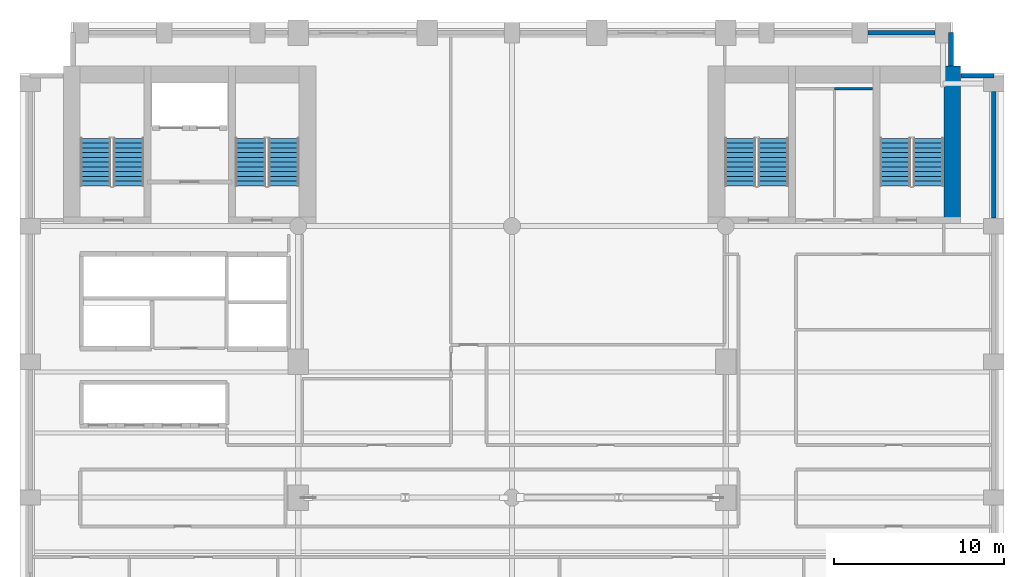
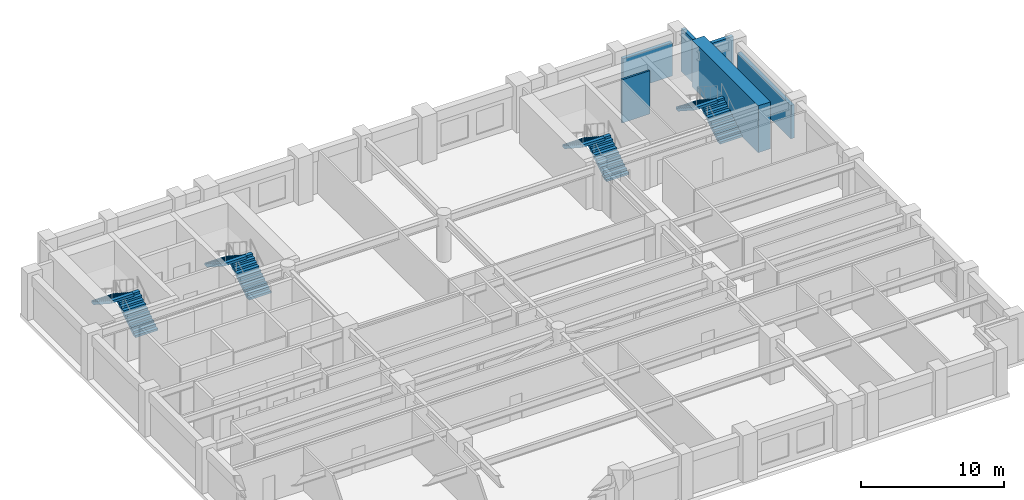
# One storey, part 8 of 10: 8 stair flights, 6 walls, 4 elements without a shape of their own.
"""IFC4 building model written with IfcOpenShell, lengths in metres."""

import ifcopenshell
import ifcopenshell.guid

model = None  # the IFC model being written
_history = None  # IfcOwnerHistory: only IFC2X3 demands one
_inside = {}  # id of a spatial element -> (the spatial element, [elements in it])
_under = {}  # id of a project, library or spatial element -> (it, [spatial elements below it])
_declared = {}  # id of a project -> (the project, [libraries it declares])
_typed = {}  # id of a type object -> (the type object, [elements of that type])
_made_of = {}  # id of a material, layer set ... -> (it, [elements and type objects made of it])


def new_model(schema):
    """Start an empty IFC model of exactly this schema.

    Asked for "IFC4X3", IfcOpenShell would pick the latest addendum, in which some entities
    have other attributes; the version numbers below select the first issue.
    IFC2X3 requires an IfcOwnerHistory on every rooted entity: one is made here for all.
    """
    global model, _history
    if schema == "IFC4X3":
        model = ifcopenshell.file(schema_version=(4, 3, 0, 0))
    else:
        model = ifcopenshell.file(schema=schema)
    _inside.clear()
    _under.clear()
    _declared.clear()
    _typed.clear()
    _made_of.clear()
    _history = None
    if model.schema == "IFC2X3":
        org = make("IfcOrganization", Name="unknown")
        user = make(
            "IfcPersonAndOrganization",
            ThePerson=make("IfcPerson", FamilyName="unknown"),
            TheOrganization=org,
        )
        app = make(
            "IfcApplication",
            ApplicationDeveloper=org,
            Version="unknown",
            ApplicationFullName="unknown",
            ApplicationIdentifier="unknown",
        )
        _history = make(
            "IfcOwnerHistory",
            OwningUser=user,
            OwningApplication=app,
            ChangeAction="ADDED",
            CreationDate=0,
        )
    return model


def make(cls, **values):
    """One entity of the class cls with the attributes given. An attribute that is None is left unset."""
    return model.create_entity(
        cls, **{name: value for name, value in values.items() if value is not None}
    )


def rooted(cls, **values):
    """An entity with a GlobalId (a new one), such as an element, a storey or a relation."""
    return make(cls, GlobalId=ifcopenshell.guid.new(), OwnerHistory=_history, **values)


def si_unit(unit_type, name, prefix=None):
    """IfcSIUnit, for example si_unit("LENGTHUNIT", "METRE", prefix="MILLI")."""
    return make("IfcSIUnit", UnitType=unit_type, Prefix=prefix, Name=name)


def assignment(units):
    """IfcUnitAssignment: the units of a project."""
    return None if units is None else make("IfcUnitAssignment", Units=units)


def point(xyz):
    """IfcCartesianPoint."""
    return None if xyz is None else make("IfcCartesianPoint", Coordinates=xyz)


def direction(xyz):
    """IfcDirection."""
    return None if xyz is None else make("IfcDirection", DirectionRatios=xyz)


def frame(location, z_axis=None, x_axis=None):
    """IfcAxis2Placement3D, a coordinate frame: its origin and axes. An axis left out is left unset."""
    return make(
        "IfcAxis2Placement3D",
        Location=point(location),
        Axis=direction(z_axis),
        RefDirection=direction(x_axis),
    )


def frame_2d(location, x_axis=None):
    """IfcAxis2Placement2D, a coordinate frame in the plane: its origin and x axis."""
    return make(
        "IfcAxis2Placement2D", Location=point(location), RefDirection=direction(x_axis)
    )


def origin():
    """The frame at (0, 0, 0) with its axes left unset."""
    return frame((0.0, 0.0, 0.0))


def place(relative_to, where):
    """IfcLocalPlacement: puts the frame where relative to a parent placement (None: the world)."""
    return make(
        "IfcLocalPlacement", PlacementRelTo=relative_to, RelativePlacement=where
    )


def context(
    kind, dimensions, precision=None, world=None, true_north=None, identifier=None
):
    """IfcGeometricRepresentationContext, for example the 3D "Model" context."""
    return make(
        "IfcGeometricRepresentationContext",
        ContextIdentifier=identifier,
        ContextType=kind,
        CoordinateSpaceDimension=dimensions,
        Precision=precision,
        WorldCoordinateSystem=world,
        TrueNorth=true_north,
    )


def subcontext(parent, identifier, kind, view, scale=None):
    """IfcGeometricRepresentationSubContext, for example "Body" below "Model"."""
    return make(
        "IfcGeometricRepresentationSubContext",
        ContextIdentifier=identifier,
        ContextType=kind,
        ParentContext=parent,
        TargetScale=scale,
        TargetView=view,
    )


def project(units=None, contexts=None):
    """IfcProject with its units and contexts."""
    return rooted(
        "IfcProject",
        Name="project",
        RepresentationContexts=contexts,
        UnitsInContext=assignment(units),
    )


def spatial(cls, under=None, at=None, **own):
    """A site, building, storey or space (cls), placed at a placement, below another one or the project."""
    s = rooted(cls, ObjectPlacement=at, **own)
    if under is not None:
        _under.setdefault(under.id(), (under, []))[1].append(s)
    return s


def polyline(points):
    """IfcPolyline through the points."""
    return make("IfcPolyline", Points=[point(p) for p in points])


def profile(cls, at=None, kind="AREA", **sizes):
    """A parametric profile (cls). Its sizes go by their IFC names, for example OverallWidth=200.0."""
    return make(cls, ProfileType=kind, Position=at, **sizes)


def rectangle(**sizes):
    """IfcRectangleProfileDef."""
    return profile("IfcRectangleProfileDef", **sizes)


def outline(outer, holes=None, kind="AREA"):
    """IfcArbitraryClosedProfileDef: a profile drawn as a closed curve; with holes, ...WithVoids."""
    if holes is None:
        return make("IfcArbitraryClosedProfileDef", ProfileType=kind, OuterCurve=outer)
    return make(
        "IfcArbitraryProfileDefWithVoids",
        ProfileType=kind,
        OuterCurve=outer,
        InnerCurves=holes,
    )


def extrude(swept, where, along, depth):
    """IfcExtrudedAreaSolid: the profile swept, set in the frame where, extruded along a direction by depth."""
    return make(
        "IfcExtrudedAreaSolid",
        SweptArea=swept,
        Position=where,
        ExtrudedDirection=direction(along),
        Depth=depth,
    )


def shape(context_of_items, identifier, shape_type, items):
    """IfcShapeRepresentation: the items that make up one representation, for example the "Body"."""
    return make(
        "IfcShapeRepresentation",
        ContextOfItems=context_of_items,
        RepresentationIdentifier=identifier,
        RepresentationType=shape_type,
        Items=items,
    )


def material(Name=None, Category=None):
    """IfcMaterial."""
    return make("IfcMaterial", Name=Name, Category=Category)


def layer(
    of_material, thickness, ventilated=None, Name=None, Category=None, Priority=None
):
    """IfcMaterialLayer: one layer of a wall or slab, of a material (None: an air gap)."""
    return make(
        "IfcMaterialLayer",
        Material=of_material,
        LayerThickness=thickness,
        IsVentilated=ventilated,
        Name=Name,
        Category=Category,
        Priority=Priority,
    )


def layer_set(layers, Name=None):
    """IfcMaterialLayerSet."""
    return make("IfcMaterialLayerSet", MaterialLayers=layers, LayerSetName=Name)


def made_of(thing, what):
    """Note that an element or type object is made of a material, layer set ...; save() writes the relation."""
    if what is not None:
        _made_of.setdefault(what.id(), (what, []))[1].append(thing)
    return thing


def type_object(cls, material=None, **own):
    """A type object (cls), such as IfcWallType, which elements share."""
    return made_of(rooted(cls, **own), material)


def element(
    cls,
    number,
    at=None,
    inside=None,
    cuts=None,
    type_object=None,
    material=None,
    context=None,
    identifier="Body",
    shape_type=None,
    held_by="IfcProductDefinitionShape",
    body=None,
    shapes=None,
    **own,
):
    """One element of the class cls, such as IfcWall. Its Tag is "e" and its number.

    at: its placement. inside: the storey or other place that contains it. cuts: it is an
    opening in that element (IfcRelVoidsElement). A single representation is given by context,
    identifier, shape_type and body (its items); several are given by shapes. held_by: the class
    of the entity that holds the representations. save() writes the other relations.
    """
    e = rooted(cls, Tag="e%d" % number, ObjectPlacement=at, **own)
    if body is not None:
        shapes = [shape(context, identifier, shape_type, body)]
    if shapes is not None:
        e.Representation = make(held_by, Representations=shapes)
    if inside is not None:
        _inside.setdefault(inside.id(), (inside, []))[1].append(e)
    if cuts is not None:
        rooted(
            "IfcRelVoidsElement", RelatingBuildingElement=cuts, RelatedOpeningElement=e
        )
    if type_object is not None:
        _typed.setdefault(type_object.id(), (type_object, []))[1].append(e)
    return made_of(e, material)


def aggregate(whole, parts):
    """IfcRelAggregates: a whole, such as a stair, and the parts it consists of."""
    return rooted("IfcRelAggregates", RelatingObject=whole, RelatedObjects=parts)


def save(model, path):
    """Write the relations noted so far, then the file.

    IfcRelAggregates (storeys below a building ...), IfcRelContainedInSpatialStructure (elements
    in a storey), IfcRelDefinesByType, IfcRelAssociatesMaterial and IfcRelDeclares: one each for
    every whole, place, type object, material and project.
    """
    for whole, parts in _under.values():
        aggregate(whole, parts)
    for where, things in _inside.values():
        rooted(
            "IfcRelContainedInSpatialStructure",
            RelatedElements=things,
            RelatingStructure=where,
        )
    for kind, things in _typed.values():
        rooted("IfcRelDefinesByType", RelatedObjects=things, RelatingType=kind)
    for what, things in _made_of.values():
        rooted("IfcRelAssociatesMaterial", RelatedObjects=things, RelatingMaterial=what)
    for by, libraries in _declared.values():
        rooted("IfcRelDeclares", RelatingContext=by, RelatedDefinitions=libraries)
    model.write(path)


model = new_model("IFC4")

# Units and contexts
model_context = context("Model", 3, precision=1e-05, world=origin(), true_north=direction((0.0, 1.0)))
body_context = subcontext(model_context, "Body", "Model", "MODEL_VIEW")
ifc_project = project(units=[si_unit("LENGTHUNIT", "METRE"), si_unit("AREAUNIT", "SQUARE_METRE"), si_unit("VOLUMEUNIT", "CUBIC_METRE"), si_unit("PLANEANGLEUNIT", "RADIAN"), si_unit("MASSUNIT", "GRAM", prefix="KILO")], contexts=[model_context])

# Site, building, storey
site_placement = place(None, origin())
site = spatial("IfcSite", under=ifc_project, at=site_placement, CompositionType="ELEMENT")
building_placement = place(site_placement, origin())
building = spatial("IfcBuilding", under=site, at=building_placement, Name="Sulina Concourse Tower", CompositionType="ELEMENT")
storey_placement = place(building_placement, frame((0.0, 0.0, 58.60009765625)))
storey = spatial("IfcBuildingStorey", under=building, at=storey_placement, Name="L14", CompositionType="ELEMENT", Elevation=58.60009765625)

# Walls
ifc_material_1 = material(Name="Gypsum board on steel stud", Category="steel")
ifc_layer_1 = layer(ifc_material_1, 0.14990234375)
ifc_layer_set_1 = layer_set([ifc_layer_1], Name="Gypsum board on steel stud")
wall_type_1 = type_object("IfcWallType", Name="Inter-Tenancy Acoustic Partition 150mm", PredefinedType="PARTITIONING", material=ifc_layer_set_1)
wall_1_placement = place(storey_placement, frame((48.0, 42.10009765625, 0.0), z_axis=(0.0, 0.0, 1.0), x_axis=(1.0, 0.0, 0.0)))
element("IfcWall", 1, at=wall_1_placement, inside=storey, type_object=wall_type_1, Name="L14 interior partition 028", PredefinedType="PARTITIONING", context=body_context, shape_type="SweptSolid", body=[
    extrude(rectangle(XDim=2.25, YDim=0.14990234375, at=frame_2d((1.125, 0.0))), origin(), (0.0, 0.0, 1.0), 3.699951171875),
])
ifc_material_2 = material(Name="Concrete C80/95", Category="concrete")
ifc_layer_2 = layer(ifc_material_2, 1.0)
ifc_layer_set_2 = layer_set([ifc_layer_2], Name="Concrete C80/95")
wall_type_2 = type_object("IfcWallType", Name="Rear Core Shear Wall 1000mm", PredefinedType="SHEAR", material=ifc_layer_set_2)
wall_2_placement = place(storey_placement, frame((54.949951171875, 34.14990234375, 0.0), z_axis=(0.0, 0.0, 1.0), x_axis=(0.0, 1.0, 0.0)))
element("IfcWall", 2, at=wall_2_placement, inside=storey, type_object=wall_type_2, Name="L14 east core shear wall CW-EE", PredefinedType="SHEAR", context=body_context, shape_type="SweptSolid", body=[
    extrude(rectangle(XDim=9.280029296875, YDim=1.0, at=frame_2d((4.64013671875, 0.0))), origin(), (0.0, 0.0, 1.0), 4.0),
])
ifc_material_3 = material(Name="Precast concrete C50/60", Category="concrete")
ifc_layer_3 = layer(ifc_material_3, 0.280029296875)
ifc_layer_set_3 = layer_set([ifc_layer_3], Name="Precast concrete C50/60")
wall_type_3 = type_object("IfcWallType", Name="Typical Precast Masonry-Frame Facade Wall 280mm", PredefinedType="SOLIDWALL", material=ifc_layer_set_3)
wall_3_placement = place(storey_placement, frame((49.969970703125, 45.39990234375, 0.0), z_axis=(0.0, 0.0, 1.0), x_axis=(1.0, 0.0, 0.0)))
element("IfcWall", 3, at=wall_3_placement, inside=storey, type_object=wall_type_3, Name="L14 exterior precast wall N10", PredefinedType="SOLIDWALL", context=body_context, shape_type="SweptSolid", body=[
    extrude(rectangle(XDim=3.9599609375, YDim=0.280029296875, at=frame_2d((1.97998046875, 0.0))), origin(), (0.0, 0.0, 1.0), 2.849853515625),
])
wall_4_placement = place(storey_placement, frame((57.39990234375, 41.929931640625, 0.0), z_axis=(0.0, 0.0, 1.0), x_axis=(0.0, -1.0, 0.0)))
element("IfcWall", 4, at=wall_4_placement, inside=storey, type_object=wall_type_3, Name="L14 exterior precast wall E5", PredefinedType="SOLIDWALL", context=body_context, shape_type="SweptSolid", body=[
    extrude(rectangle(XDim=7.4599609375, YDim=0.280029296875, at=frame_2d((3.72998046875, 0.0))), origin(), (0.0, 0.0, 1.0), 2.849853515625),
])
wall_5_placement = place(storey_placement, frame((54.8701171875, 45.39990234375, 0.0), z_axis=(0.0, 0.0, 1.0), x_axis=(0.0, -1.0, 0.0)))
element("IfcWall", 5, at=wall_5_placement, inside=storey, type_object=wall_type_3, Name="L14 exterior precast wall CNE1", PredefinedType="SOLIDWALL", context=body_context, shape_type="SweptSolid", body=[
    extrude(rectangle(XDim=1.96484375, YDim=0.280029296875, at=frame_2d((0.982421875, 0.0))), origin(), (0.0, 0.0, 1.0), 3.699951171875),
])
wall_6_placement = place(storey_placement, frame((55.455078125, 42.8701171875, 0.0), z_axis=(0.0, 0.0, 1.0), x_axis=(1.0, 0.0, 0.0)))
element("IfcWall", 6, at=wall_6_placement, inside=storey, type_object=wall_type_3, Name="L14 exterior precast wall CNE2", PredefinedType="SOLIDWALL", context=body_context, shape_type="SweptSolid", body=[
    extrude(rectangle(XDim=1.94482421875, YDim=0.280029296875, at=frame_2d((0.972412109375, 0.0))), origin(), (0.0, 0.0, 1.0), 3.699951171875),
])

# Stair, stair flights
ifc_material_4 = material(Name="Concrete C50/60", Category="concrete")
stair_type_1 = type_object("IfcStairType", Name="Portal & Podium Core Exit Stair 1820mm", PredefinedType="HALF_TURN_STAIR", material=ifc_material_4)
stair_1_placement = place(storey_placement, origin())
stair_1 = element("IfcStair", 7, at=stair_1_placement, inside=storey, type_object=stair_type_1, Name="L14 ST-3", PredefinedType="HALF_TURN_STAIR")
ifc_material_5 = material(Name="Concrete C50/60", Category="concrete")
stair_flight_type_1 = type_object("IfcStairFlightType", Name="Portal & Podium Core Exit Stair 1820mm Flight", PredefinedType="STRAIGHT", material=ifc_material_5)
stair_flight_1_placement = place(storey_placement, frame((44.405029296875, 36.375, 0.0), z_axis=(0.0, 0.0, 1.0), x_axis=(0.0, 1.0, 0.0)))
stair_flight_1 = element("IfcStairFlight", 8, at=stair_flight_1_placement, type_object=stair_flight_type_1, Name="ST-3 flight 1", NumberOfRisers=11, NumberOfTreads=10, PredefinedType="STRAIGHT", RiserHeight=0.181818182, TreadLength=0.28, context=body_context, shape_type="SweptSolid", body=[
    extrude(outline(polyline([(0.0, 0.0), (0.0, 0.181884765625), (0.280029296875, 0.181884765625), (0.280029296875, 0.363525390625), (0.56005859375, 0.363525390625), (0.56005859375, 0.54541015625), (0.840087890625, 0.54541015625), (0.840087890625, 0.727294921875), (1.1201171875, 0.727294921875), (1.1201171875, 0.9091796875), (1.39990234375, 0.9091796875), (1.39990234375, 1.0908203125), (1.679931640625, 1.0908203125), (1.679931640625, 1.272705078125), (1.9599609375, 1.272705078125), (1.9599609375, 1.45458984375), (2.239990234375, 1.45458984375), (2.239990234375, 1.636474609375), (2.52001953125, 1.636474609375), (2.52001953125, 1.818115234375), (2.800048828125, 1.818115234375), (2.800048828125, 2.0), (2.800048828125, 1.603759765625), (0.330322265625, 0.0), (0.0, 0.0)])), frame((0.0, 0.89990234375, 0.0), z_axis=(0.0, -1.0, 0.0), x_axis=(1.0, 0.0, 0.0)), (0.0, 0.0, 1.0), 1.800048828125),
])
stair_flight_2_placement = place(storey_placement, frame((42.455078125, 39.175048828125, 2.0), z_axis=(0.0, 0.0, 1.0), x_axis=(0.0, -1.0, 0.0)))
stair_flight_2 = element("IfcStairFlight", 9, at=stair_flight_2_placement, type_object=stair_flight_type_1, Name="ST-3 flight 2", NumberOfRisers=11, NumberOfTreads=10, PredefinedType="STRAIGHT", RiserHeight=0.181818182, TreadLength=0.28, context=body_context, shape_type="SweptSolid", body=[
    extrude(outline(polyline([(0.0, 0.0), (0.0, 0.181884765625), (0.280029296875, 0.181884765625), (0.280029296875, 0.363525390625), (0.56005859375, 0.363525390625), (0.56005859375, 0.54541015625), (0.840087890625, 0.54541015625), (0.840087890625, 0.727294921875), (1.1201171875, 0.727294921875), (1.1201171875, 0.9091796875), (1.39990234375, 0.9091796875), (1.39990234375, 1.0908203125), (1.679931640625, 1.0908203125), (1.679931640625, 1.272705078125), (1.9599609375, 1.272705078125), (1.9599609375, 1.45458984375), (2.239990234375, 1.45458984375), (2.239990234375, 1.636474609375), (2.52001953125, 1.636474609375), (2.52001953125, 1.818115234375), (2.800048828125, 1.818115234375), (2.800048828125, 2.0), (2.800048828125, 1.603759765625), (0.330322265625, 0.0), (0.0, 0.0)])), frame((0.0, 0.89990234375, 0.0), z_axis=(0.0, -1.0, 0.0), x_axis=(1.0, 0.0, 0.0)), (0.0, 0.0, 1.0), 1.800048828125),
])
aggregate(stair_1, [stair_flight_1, stair_flight_2])

stair_2_placement = place(storey_placement, origin())
stair_2 = element("IfcStair", 10, at=stair_2_placement, inside=storey, type_object=stair_type_1, Name="L14 ST-4", PredefinedType="HALF_TURN_STAIR")
stair_flight_3_placement = place(storey_placement, frame((53.544921875, 36.375, 0.0), z_axis=(0.0, 0.0, 1.0), x_axis=(0.0, 1.0, 0.0)))
stair_flight_3 = element("IfcStairFlight", 11, at=stair_flight_3_placement, type_object=stair_flight_type_1, Name="ST-4 flight 1", NumberOfRisers=11, NumberOfTreads=10, PredefinedType="STRAIGHT", RiserHeight=0.181818182, TreadLength=0.28, context=body_context, shape_type="SweptSolid", body=[
    extrude(outline(polyline([(0.0, 0.0), (0.0, 0.181884765625), (0.280029296875, 0.181884765625), (0.280029296875, 0.363525390625), (0.56005859375, 0.363525390625), (0.56005859375, 0.54541015625), (0.840087890625, 0.54541015625), (0.840087890625, 0.727294921875), (1.1201171875, 0.727294921875), (1.1201171875, 0.9091796875), (1.39990234375, 0.9091796875), (1.39990234375, 1.0908203125), (1.679931640625, 1.0908203125), (1.679931640625, 1.272705078125), (1.9599609375, 1.272705078125), (1.9599609375, 1.45458984375), (2.239990234375, 1.45458984375), (2.239990234375, 1.636474609375), (2.52001953125, 1.636474609375), (2.52001953125, 1.818115234375), (2.800048828125, 1.818115234375), (2.800048828125, 2.0), (2.800048828125, 1.603759765625), (0.330322265625, 0.0), (0.0, 0.0)])), frame((0.0, 0.89990234375, 0.0), z_axis=(0.0, -1.0, 0.0), x_axis=(1.0, 0.0, 0.0)), (0.0, 0.0, 1.0), 1.800048828125),
])
stair_flight_4_placement = place(storey_placement, frame((51.594970703125, 39.175048828125, 2.0), z_axis=(0.0, 0.0, 1.0), x_axis=(0.0, -1.0, 0.0)))
stair_flight_4 = element("IfcStairFlight", 12, at=stair_flight_4_placement, type_object=stair_flight_type_1, Name="ST-4 flight 2", NumberOfRisers=11, NumberOfTreads=10, PredefinedType="STRAIGHT", RiserHeight=0.181818182, TreadLength=0.28, context=body_context, shape_type="SweptSolid", body=[
    extrude(outline(polyline([(0.0, 0.0), (0.0, 0.181884765625), (0.280029296875, 0.181884765625), (0.280029296875, 0.363525390625), (0.56005859375, 0.363525390625), (0.56005859375, 0.54541015625), (0.840087890625, 0.54541015625), (0.840087890625, 0.727294921875), (1.1201171875, 0.727294921875), (1.1201171875, 0.9091796875), (1.39990234375, 0.9091796875), (1.39990234375, 1.0908203125), (1.679931640625, 1.0908203125), (1.679931640625, 1.272705078125), (1.9599609375, 1.272705078125), (1.9599609375, 1.45458984375), (2.239990234375, 1.45458984375), (2.239990234375, 1.636474609375), (2.52001953125, 1.636474609375), (2.52001953125, 1.818115234375), (2.800048828125, 1.818115234375), (2.800048828125, 2.0), (2.800048828125, 1.603759765625), (0.330322265625, 0.0), (0.0, 0.0)])), frame((0.0, 0.89990234375, 0.0), z_axis=(0.0, -1.0, 0.0), x_axis=(1.0, 0.0, 0.0)), (0.0, 0.0, 1.0), 1.800048828125),
])
aggregate(stair_2, [stair_flight_3, stair_flight_4])

ifc_material_6 = material(Name="Concrete C50/60", Category="concrete")
stair_type_2 = type_object("IfcStairType", Name="Primary Core Dog-Leg Exit Stair 1800mm", PredefinedType="HALF_TURN_STAIR", material=ifc_material_6)
stair_3_placement = place(storey_placement, origin())
stair_3 = element("IfcStair", 13, at=stair_3_placement, inside=storey, type_object=stair_type_2, Name="L14 ST-1", PredefinedType="HALF_TURN_STAIR")
ifc_material_7 = material(Name="Concrete C50/60", Category="concrete")
stair_flight_type_2 = type_object("IfcStairFlightType", Name="Primary Core Dog-Leg Exit Stair 1800mm Flight", PredefinedType="STRAIGHT", material=ifc_material_7)
stair_flight_5_placement = place(storey_placement, frame((6.405029296875, 36.375, 0.0), z_axis=(0.0, 0.0, 1.0), x_axis=(0.0, 1.0, 0.0)))
stair_flight_5 = element("IfcStairFlight", 14, at=stair_flight_5_placement, type_object=stair_flight_type_2, Name="ST-1 flight 1", NumberOfRisers=11, NumberOfTreads=10, PredefinedType="STRAIGHT", RiserHeight=0.181818182, TreadLength=0.28, context=body_context, shape_type="SweptSolid", body=[
    extrude(outline(polyline([(0.0, 0.0), (0.0, 0.181884765625), (0.280029296875, 0.181884765625), (0.280029296875, 0.363525390625), (0.56005859375, 0.363525390625), (0.56005859375, 0.54541015625), (0.840087890625, 0.54541015625), (0.840087890625, 0.727294921875), (1.1201171875, 0.727294921875), (1.1201171875, 0.9091796875), (1.39990234375, 0.9091796875), (1.39990234375, 1.0908203125), (1.679931640625, 1.0908203125), (1.679931640625, 1.272705078125), (1.9599609375, 1.272705078125), (1.9599609375, 1.45458984375), (2.239990234375, 1.45458984375), (2.239990234375, 1.636474609375), (2.52001953125, 1.636474609375), (2.52001953125, 1.818115234375), (2.800048828125, 1.818115234375), (2.800048828125, 2.0), (2.800048828125, 1.603759765625), (0.330322265625, 0.0), (0.0, 0.0)])), frame((0.0, 0.89990234375, 0.0), z_axis=(0.0, -1.0, 0.0), x_axis=(1.0, 0.0, 0.0)), (0.0, 0.0, 1.0), 1.800048828125),
])
stair_flight_6_placement = place(storey_placement, frame((4.455078125, 39.175048828125, 2.0), z_axis=(0.0, 0.0, 1.0), x_axis=(0.0, -1.0, 0.0)))
stair_flight_6 = element("IfcStairFlight", 15, at=stair_flight_6_placement, type_object=stair_flight_type_2, Name="ST-1 flight 2", NumberOfRisers=11, NumberOfTreads=10, PredefinedType="STRAIGHT", RiserHeight=0.181818182, TreadLength=0.28, context=body_context, shape_type="SweptSolid", body=[
    extrude(outline(polyline([(0.0, 0.0), (0.0, 0.181884765625), (0.280029296875, 0.181884765625), (0.280029296875, 0.363525390625), (0.56005859375, 0.363525390625), (0.56005859375, 0.54541015625), (0.840087890625, 0.54541015625), (0.840087890625, 0.727294921875), (1.1201171875, 0.727294921875), (1.1201171875, 0.9091796875), (1.39990234375, 0.9091796875), (1.39990234375, 1.0908203125), (1.679931640625, 1.0908203125), (1.679931640625, 1.272705078125), (1.9599609375, 1.272705078125), (1.9599609375, 1.45458984375), (2.239990234375, 1.45458984375), (2.239990234375, 1.636474609375), (2.52001953125, 1.636474609375), (2.52001953125, 1.818115234375), (2.800048828125, 1.818115234375), (2.800048828125, 2.0), (2.800048828125, 1.603759765625), (0.330322265625, 0.0), (0.0, 0.0)])), frame((0.0, 0.89990234375, 0.0), z_axis=(0.0, -1.0, 0.0), x_axis=(1.0, 0.0, 0.0)), (0.0, 0.0, 1.0), 1.800048828125),
])
aggregate(stair_3, [stair_flight_5, stair_flight_6])

stair_4_placement = place(storey_placement, origin())
stair_4 = element("IfcStair", 16, at=stair_4_placement, inside=storey, type_object=stair_type_2, Name="L14 ST-2", PredefinedType="HALF_TURN_STAIR")
stair_flight_7_placement = place(storey_placement, frame((15.544921875, 36.375, 0.0), z_axis=(0.0, 0.0, 1.0), x_axis=(0.0, 1.0, 0.0)))
stair_flight_7 = element("IfcStairFlight", 17, at=stair_flight_7_placement, type_object=stair_flight_type_2, Name="ST-2 flight 1", NumberOfRisers=11, NumberOfTreads=10, PredefinedType="STRAIGHT", RiserHeight=0.181818182, TreadLength=0.28, context=body_context, shape_type="SweptSolid", body=[
    extrude(outline(polyline([(0.0, 0.0), (0.0, 0.181884765625), (0.280029296875, 0.181884765625), (0.280029296875, 0.363525390625), (0.56005859375, 0.363525390625), (0.56005859375, 0.54541015625), (0.840087890625, 0.54541015625), (0.840087890625, 0.727294921875), (1.1201171875, 0.727294921875), (1.1201171875, 0.9091796875), (1.39990234375, 0.9091796875), (1.39990234375, 1.0908203125), (1.679931640625, 1.0908203125), (1.679931640625, 1.272705078125), (1.9599609375, 1.272705078125), (1.9599609375, 1.45458984375), (2.239990234375, 1.45458984375), (2.239990234375, 1.636474609375), (2.52001953125, 1.636474609375), (2.52001953125, 1.818115234375), (2.800048828125, 1.818115234375), (2.800048828125, 2.0), (2.800048828125, 1.603759765625), (0.330322265625, 0.0), (0.0, 0.0)])), frame((0.0, 0.89990234375, 0.0), z_axis=(0.0, -1.0, 0.0), x_axis=(1.0, 0.0, 0.0)), (0.0, 0.0, 1.0), 1.800048828125),
])
stair_flight_8_placement = place(storey_placement, frame((13.594970703125, 39.175048828125, 2.0), z_axis=(0.0, 0.0, 1.0), x_axis=(0.0, -1.0, 0.0)))
stair_flight_8 = element("IfcStairFlight", 18, at=stair_flight_8_placement, type_object=stair_flight_type_2, Name="ST-2 flight 2", NumberOfRisers=11, NumberOfTreads=10, PredefinedType="STRAIGHT", RiserHeight=0.181818182, TreadLength=0.28, context=body_context, shape_type="SweptSolid", body=[
    extrude(outline(polyline([(0.0, 0.0), (0.0, 0.181884765625), (0.280029296875, 0.181884765625), (0.280029296875, 0.363525390625), (0.56005859375, 0.363525390625), (0.56005859375, 0.54541015625), (0.840087890625, 0.54541015625), (0.840087890625, 0.727294921875), (1.1201171875, 0.727294921875), (1.1201171875, 0.9091796875), (1.39990234375, 0.9091796875), (1.39990234375, 1.0908203125), (1.679931640625, 1.0908203125), (1.679931640625, 1.272705078125), (1.9599609375, 1.272705078125), (1.9599609375, 1.45458984375), (2.239990234375, 1.45458984375), (2.239990234375, 1.636474609375), (2.52001953125, 1.636474609375), (2.52001953125, 1.818115234375), (2.800048828125, 1.818115234375), (2.800048828125, 2.0), (2.800048828125, 1.603759765625), (0.330322265625, 0.0), (0.0, 0.0)])), frame((0.0, 0.89990234375, 0.0), z_axis=(0.0, -1.0, 0.0), x_axis=(1.0, 0.0, 0.0)), (0.0, 0.0, 1.0), 1.800048828125),
])
aggregate(stair_4, [stair_flight_7, stair_flight_8])

save(model, "model.ifc")
